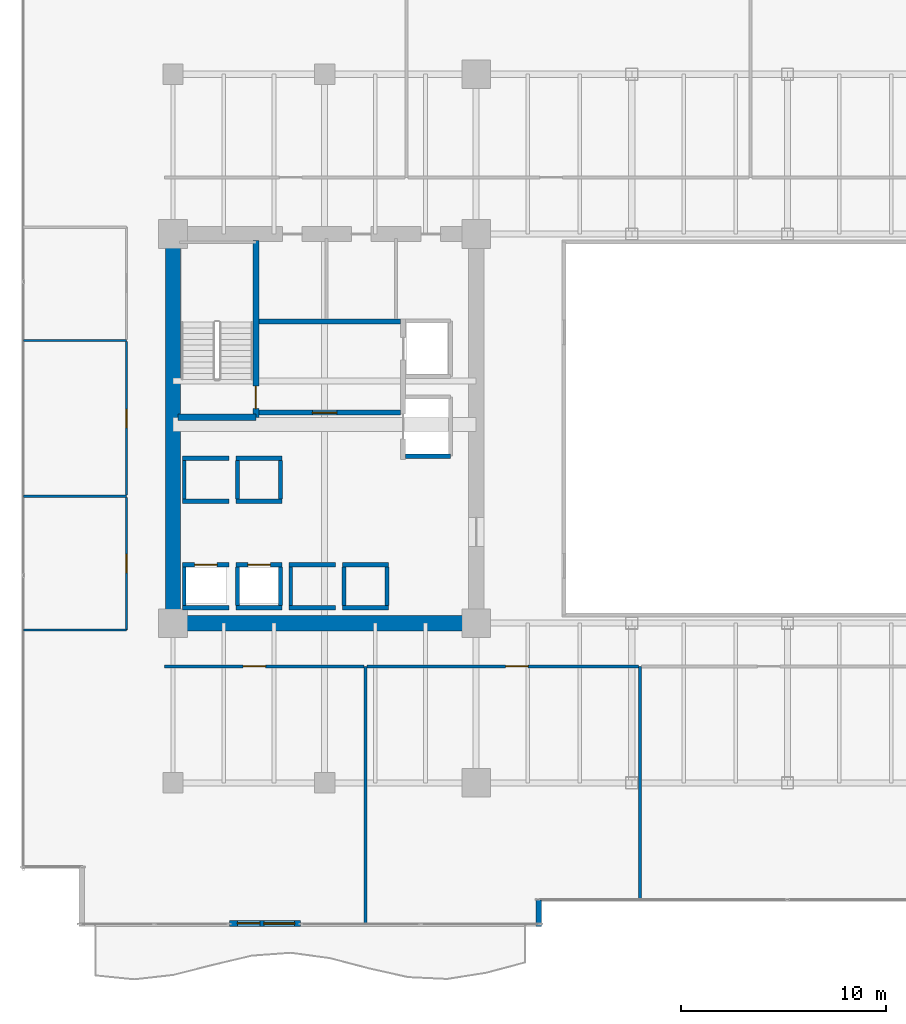
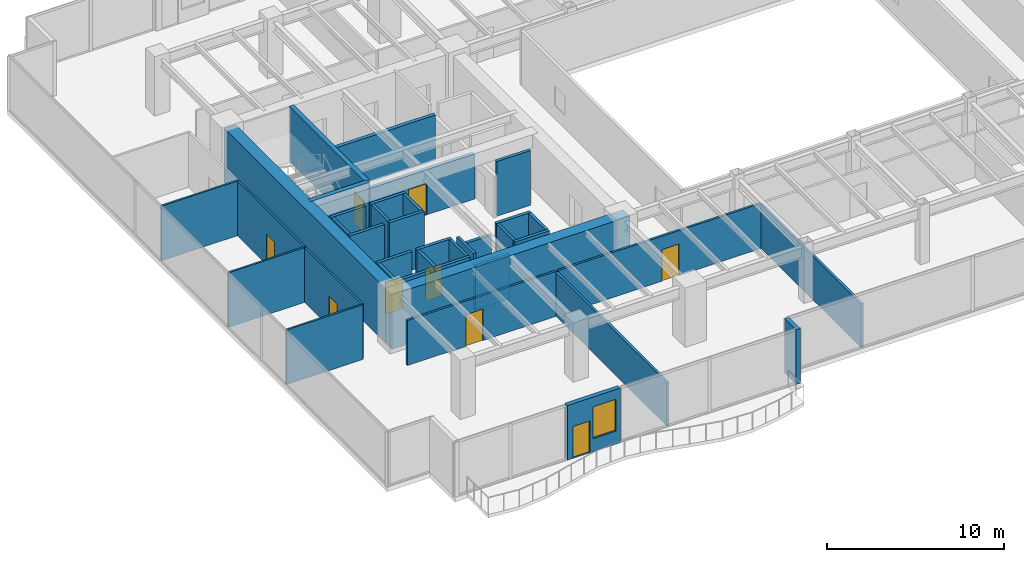
# One storey, part 24 of 31: 39 walls, 9 doors, 1 window, 10 openings.
"""IFC4 building model written with IfcOpenShell, lengths in metres."""

from ifc_helpers import new_model, si_unit, direction, frame, frame_2d, origin, place, context, subcontext, project, spatial, rectangle, extrude, source, transform, mapped, material, layer, layer_set, type_object, type_shapes, element, fill, save


model = new_model("IFC4")

# Units and contexts
model_context = context("Model", 3, precision=1e-05, world=origin(), true_north=direction((0.0, 1.0)))
body_context = subcontext(model_context, "Body", "Model", "MODEL_VIEW")
ifc_project = project(units=[si_unit("LENGTHUNIT", "METRE"), si_unit("AREAUNIT", "SQUARE_METRE"), si_unit("VOLUMEUNIT", "CUBIC_METRE"), si_unit("PLANEANGLEUNIT", "RADIAN"), si_unit("MASSUNIT", "GRAM", prefix="KILO")], contexts=[model_context])

# Site, building, storey
site_placement = place(None, origin())
site = spatial("IfcSite", under=ifc_project, at=site_placement, CompositionType="ELEMENT")
building_placement = place(site_placement, origin())
building = spatial("IfcBuilding", under=site, at=building_placement, Name="Haelvirn Gate Laboratories", CompositionType="ELEMENT")
storey_placement = place(building_placement, frame((0.0, 0.0, 62.10009765625)))
storey = spatial("IfcBuildingStorey", under=building, at=storey_placement, Name="L15", CompositionType="ELEMENT", Elevation=62.10009765625)

# Wall, openings, door, window
ifc_material_1 = material(Name="Thermally-broken bronze aluminium rainscreen & mineral wool", Category="aluminium")
ifc_layer_1 = layer(ifc_material_1, 0.280029296875, Name="EW-TERR-280")
ifc_layer_set_1 = layer_set([ifc_layer_1], Name="Thermally-broken bronze aluminium rainscreen & mineral wool")
wall_type_1 = type_object("IfcWallType", Name="EW-TERR-280", PredefinedType="STANDARD", material=ifc_layer_set_1)
wall_1_placement = place(storey_placement, frame((10.162109375, 0.139892578125, 0.0), z_axis=(0.0, 0.0, 1.0), x_axis=(1.0, 0.0, 0.0)))
wall_1 = element("IfcWall", 1, at=wall_1_placement, inside=storey, type_object=wall_type_1, Name="L15 Terrace Access Wall WB-WL-S", PredefinedType="STANDARD", context=body_context, shape_type="SweptSolid", body=[
    extrude(rectangle(XDim=3.4609375, YDim=0.280029296875, at=frame_2d((1.73046875, 0.0))), origin(), (0.0, 0.0, 1.0), 3.77978515625),
])
opening_1_placement = place(wall_1_placement, frame((0.3779296875, 0.0, 0.0)))
opening_1 = element("IfcOpeningElement", 2, at=opening_1_placement, cuts=wall_1, Name="Opening TD1", PredefinedType="OPENING", context=body_context, shape_type="SweptSolid", body=[
    extrude(rectangle(XDim=1.10009765625, YDim=2.199951171875, at=frame_2d((0.550048828125, 1.10009765625))), frame((0.0, 0.14990234375, 0.0), z_axis=(0.0, -1.0, 0.0), x_axis=(1.0, 0.0, 0.0)), (0.0, 0.0, 1.0), 0.300048828125),
])
opening_2_placement = place(wall_1_placement, frame((1.677978515625, 0.0, 0.89990234375)))
opening_2 = element("IfcOpeningElement", 3, at=opening_2_placement, cuts=wall_1, Name="Opening W3", PredefinedType="OPENING", context=body_context, shape_type="SweptSolid", body=[
    extrude(rectangle(XDim=1.5, YDim=2.199951171875, at=frame_2d((0.75, 1.10009765625))), frame((0.0, 0.14990234375, 0.0), z_axis=(0.0, -1.0, 0.0), x_axis=(1.0, 0.0, 0.0)), (0.0, 0.0, 1.0), 0.300048828125),
])
ifc_material_2 = material(Name="Thermally-broken bronze aluminium glazed terrace door", Category="aluminium")
door_type_1 = type_object("IfcDoorType", Name="DR-TERR-1100", OperationType="NOTDEFINED", PredefinedType="DOOR", material=ifc_material_2)
shared_shape_1 = source(origin(), body_context, "Body", "SweptSolid", [
    extrude(rectangle(XDim=1.10009765625, YDim=2.199951171875, at=frame_2d((0.550048828125, 1.10009765625))), frame((0.0, 0.02490234375, 0.0), z_axis=(0.0, -1.0, 0.0), x_axis=(1.0, 0.0, 0.0)), (0.0, 0.0, 1.0), 0.050048828125),
])
type_shapes(door_type_1, [shared_shape_1])
door_1_placement = place(opening_1_placement, origin())
door_1 = element("IfcDoor", 4, at=door_1_placement, inside=storey, type_object=door_type_1, Name="L15 Terrace Access Door WB-WL-S", OperationType="SINGLE_SWING_LEFT", OverallHeight=2.199951171875, OverallWidth=1.10009765625, PredefinedType="DOOR", context=body_context, shape_type="MappedRepresentation", body=[
    mapped(shared_shape_1, transform((0.0, 0.0, 0.0), scale=1.0)),
])
fill(opening_1, door_1)
ifc_material_3 = material(Name="Bronze anodised aluminium & triple low-E glass", Category="aluminium")
window_type = type_object("IfcWindowType", Name="WIN-TERR-1600", PartitioningType="SINGLE_PANEL", PredefinedType="WINDOW", material=ifc_material_3)
shared_shape_2 = source(origin(), body_context, "Body", "SweptSolid", [
    extrude(rectangle(XDim=1.5, YDim=2.199951171875, at=frame_2d((0.75, 1.10009765625))), frame((0.0, 0.030029296875, 0.0), z_axis=(0.0, -1.0, 0.0), x_axis=(1.0, 0.0, 0.0)), (0.0, 0.0, 1.0), 0.06005859375),
])
type_shapes(window_type, [shared_shape_2])
window_placement = place(opening_2_placement, origin())
window = element("IfcWindow", 5, at=window_placement, inside=storey, type_object=window_type, Name="L15 Terrace Vision Window WB-WL-S", OverallHeight=2.199951171875, OverallWidth=1.5, PartitioningType="SINGLE_PANEL", PredefinedType="WINDOW", context=body_context, shape_type="MappedRepresentation", body=[
    mapped(shared_shape_2, transform((0.0, 0.0, 0.0), scale=1.0)),
])
fill(opening_2, window)

# Walls
wall_2_placement = place(storey_placement, frame((25.260009765625, 0.0, 0.0), z_axis=(0.0, 0.0, 1.0), x_axis=(0.0, 1.0, 0.0)))
element("IfcWall", 6, at=wall_2_placement, inside=storey, type_object=wall_type_1, Name="L15 Atrium Recess Bronze Return Wall 01", PredefinedType="STANDARD", context=body_context, shape_type="SweptSolid", body=[
    extrude(rectangle(XDim=1.2880859375, YDim=0.280029296875, at=frame_2d((0.64404296875, 0.0))), origin(), (0.0, 0.0, 1.0), 3.77978515625),
])
ifc_material_4 = material(Name="Double-layer acoustic gypsum laboratory partition", Category="gypsum")
ifc_layer_2 = layer(ifc_material_4, 0.159912109375, Name="IW-ACOUST-160")
ifc_layer_set_2 = layer_set([ifc_layer_2], Name="Double-layer acoustic gypsum laboratory partition")
wall_type_2 = type_object("IfcWallType", Name="IW-ACOUST-160", PredefinedType="PARTITIONING", material=ifc_layer_set_2)
wall_3_placement = place(storey_placement, frame((16.800048828125, 0.110107421875, 0.0), z_axis=(0.0, 0.0, 1.0), x_axis=(0.0, 1.0, 0.0)))
element("IfcWall", 7, at=wall_3_placement, inside=storey, type_object=wall_type_2, Name="L15 Interior Wall IW-L15-SDIV-01", PredefinedType="PARTITIONING", context=body_context, shape_type="SweptSolid", body=[
    extrude(rectangle(XDim=12.579833984375, YDim=0.159912109375, at=frame_2d((6.2900390625, 0.0))), origin(), (0.0, 0.0, 1.0), 3.014892578125),
])
wall_4_placement = place(storey_placement, frame((30.199951171875, 1.31005859375, 0.0), z_axis=(0.0, 0.0, 1.0), x_axis=(0.0, 1.0, 0.0)))
element("IfcWall", 8, at=wall_4_placement, inside=storey, type_object=wall_type_2, Name="L15 Interior Wall IW-L15-SDIV-02", PredefinedType="PARTITIONING", context=body_context, shape_type="SweptSolid", body=[
    extrude(rectangle(XDim=11.3798828125, YDim=0.159912109375, at=frame_2d((5.68994140625, 0.0))), origin(), (0.0, 0.0, 1.0), 3.014892578125),
])
ifc_material_5 = material(Name="Lightweight acoustic gypsum board partition", Category="gypsum")
ifc_layer_3 = layer(ifc_material_5, 0.1201171875, Name="IW-PART-120")
ifc_layer_set_3 = layer_set([ifc_layer_3], Name="Lightweight acoustic gypsum board partition")
wall_type_3 = type_object("IfcWallType", Name="IW-PART-120", PredefinedType="PARTITIONING", material=ifc_layer_set_3)
wall_5_placement = place(storey_placement, frame((0.110107421875, 14.465087890625, 0.0), z_axis=(0.0, 0.0, 1.0), x_axis=(1.0, 0.0, 0.0)))
element("IfcWall", 9, at=wall_5_placement, inside=storey, type_object=wall_type_3, Name="L15 Interior Wall IW-L15-WCAP-S", PredefinedType="PARTITIONING", context=body_context, shape_type="SweptSolid", body=[
    extrude(rectangle(XDim=5.019775390625, YDim=0.1201171875, at=frame_2d((2.509765625, 0.0))), origin(), (0.0, 0.0, 1.0), 3.77978515625),
])

# Wall, opening, door
wall_6_placement = place(storey_placement, frame((5.1298828125, 14.465087890625, 0.0), z_axis=(0.0, 0.0, 1.0), x_axis=(0.0, 1.0, 0.0)))
wall_6 = element("IfcWall", 10, at=wall_6_placement, inside=storey, type_object=wall_type_3, Name="L15 Interior Wall IW-L15-WPASS-01", PredefinedType="PARTITIONING", context=body_context, shape_type="SweptSolid", body=[
    extrude(rectangle(XDim=6.474853515625, YDim=0.1201171875, at=frame_2d((3.2373046875, 0.0))), origin(), (0.0, 0.0, 1.0), 3.77978515625),
])
opening_3_placement = place(wall_6_placement, frame((2.78759765625, 0.0, 0.0)))
opening_3 = element("IfcOpeningElement", 11, at=opening_3_placement, cuts=wall_6, Name="Opening D4", PredefinedType="OPENING", context=body_context, shape_type="SweptSolid", body=[
    extrude(rectangle(XDim=0.89990234375, YDim=2.10009765625, at=frame_2d((0.449951171875, 1.050048828125))), frame((0.0, 0.070068359375, 0.0), z_axis=(0.0, -1.0, 0.0), x_axis=(1.0, 0.0, 0.0)), (0.0, 0.0, 1.0), 0.14013671875),
])
ifc_material_6 = material(Name="Glazed aluminium-framed write-up door", Category="aluminium")
door_type_2 = type_object("IfcDoorType", Name="DR-OFF-900", OperationType="NOTDEFINED", PredefinedType="DOOR", material=ifc_material_6)
shared_shape_3 = source(origin(), body_context, "Body", "SweptSolid", [
    extrude(rectangle(XDim=0.89990234375, YDim=2.10009765625, at=frame_2d((0.449951171875, 1.050048828125))), frame((0.0, 0.02490234375, 0.0), z_axis=(0.0, -1.0, 0.0), x_axis=(1.0, 0.0, 0.0)), (0.0, 0.0, 1.0), 0.050048828125),
])
type_shapes(door_type_2, [shared_shape_3])
door_2_placement = place(opening_3_placement, origin())
door_2 = element("IfcDoor", 12, at=door_2_placement, inside=storey, type_object=door_type_2, Name="L15 Chemical Synthesis Laboratory Door W1", OperationType="SINGLE_SWING_LEFT", OverallHeight=2.10009765625, OverallWidth=0.89990234375, PredefinedType="DOOR", context=body_context, shape_type="MappedRepresentation", body=[
    mapped(shared_shape_3, transform((0.0, 0.0, 0.0), scale=1.0)),
])
fill(opening_3, door_2)

# Wall
wall_7_placement = place(storey_placement, frame((0.110107421875, 21.0, 0.0), z_axis=(0.0, 0.0, 1.0), x_axis=(1.0, 0.0, 0.0)))
element("IfcWall", 13, at=wall_7_placement, inside=storey, type_object=wall_type_3, Name="L15 Interior Wall IW-L15-WDIV-01", PredefinedType="PARTITIONING", context=body_context, shape_type="SweptSolid", body=[
    extrude(rectangle(XDim=5.019775390625, YDim=0.1201171875, at=frame_2d((2.509765625, 0.0))), origin(), (0.0, 0.0, 1.0), 3.77978515625),
])

# Wall, opening, door
wall_8_placement = place(storey_placement, frame((5.1298828125, 21.06005859375, 0.0), z_axis=(0.0, 0.0, 1.0), x_axis=(0.0, 1.0, 0.0)))
wall_8 = element("IfcWall", 14, at=wall_8_placement, inside=storey, type_object=wall_type_3, Name="L15 Interior Wall IW-L15-WPASS-02", PredefinedType="PARTITIONING", context=body_context, shape_type="SweptSolid", body=[
    extrude(rectangle(XDim=7.47998046875, YDim=0.1201171875, at=frame_2d((3.739990234375, 0.0))), origin(), (0.0, 0.0, 1.0), 3.77978515625),
])
opening_4_placement = place(wall_8_placement, frame((3.2900390625, 0.0, 0.0)))
opening_4 = element("IfcOpeningElement", 15, at=opening_4_placement, cuts=wall_8, Name="Opening D4", PredefinedType="OPENING", context=body_context, shape_type="SweptSolid", body=[
    extrude(rectangle(XDim=0.89990234375, YDim=2.10009765625, at=frame_2d((0.449951171875, 1.050048828125))), frame((0.0, 0.070068359375, 0.0), z_axis=(0.0, -1.0, 0.0), x_axis=(1.0, 0.0, 0.0)), (0.0, 0.0, 1.0), 0.14013671875),
])
door_3_placement = place(opening_4_placement, origin())
door_3 = element("IfcDoor", 16, at=door_3_placement, inside=storey, type_object=door_type_2, Name="L15 Bioprocess Foundry Laboratory Door W2", OperationType="SINGLE_SWING_RIGHT", OverallHeight=2.10009765625, OverallWidth=0.89990234375, PredefinedType="DOOR", context=body_context, shape_type="MappedRepresentation", body=[
    mapped(shared_shape_3, transform((0.0, 0.0, 0.0), scale=1.0)),
])
fill(opening_4, door_3)

# Wall
wall_9_placement = place(storey_placement, frame((0.110107421875, 28.60009765625, 0.0), z_axis=(0.0, 0.0, 1.0), x_axis=(1.0, 0.0, 0.0)))
element("IfcWall", 17, at=wall_9_placement, inside=storey, type_object=wall_type_3, Name="L15 Interior Wall IW-L15-WDIV-02", PredefinedType="PARTITIONING", context=body_context, shape_type="SweptSolid", body=[
    extrude(rectangle(XDim=5.019775390625, YDim=0.1201171875, at=frame_2d((2.509765625, 0.0))), origin(), (0.0, 0.0, 1.0), 3.77978515625),
])

# Wall, opening, door
ifc_material_7 = material(Name="Acoustic mineral-wool gypsum board partition", Category="gypsum")
ifc_layer_4 = layer(ifc_material_7, 0.139892578125, Name="IW-PART-140")
ifc_layer_set_4 = layer_set([ifc_layer_4], Name="Acoustic mineral-wool gypsum board partition")
wall_type_4 = type_object("IfcWallType", Name="IW-PART-140", PredefinedType="PARTITIONING", material=ifc_layer_set_4)
wall_10_placement = place(storey_placement, frame((6.97998046875, 12.68994140625, 0.0), z_axis=(0.0, 0.0, 1.0), x_axis=(1.0, 0.0, 0.0)))
wall_10 = element("IfcWall", 18, at=wall_10_placement, inside=storey, type_object=wall_type_4, Name="L15 Interior Wall IW-L15-SCORR-01", PredefinedType="PARTITIONING", context=body_context, shape_type="SweptSolid", body=[
    extrude(rectangle(XDim=9.739990234375, YDim=0.139892578125, at=frame_2d((4.8701171875, 0.0))), origin(), (0.0, 0.0, 1.0), 3.114990234375),
])
opening_5_placement = place(wall_10_placement, frame((3.843505859375, 0.0, 0.0)))
opening_5 = element("IfcOpeningElement", 19, at=opening_5_placement, cuts=wall_10, Name="Opening D1", PredefinedType="OPENING", context=body_context, shape_type="SweptSolid", body=[
    extrude(rectangle(XDim=1.10009765625, YDim=2.179931640625, at=frame_2d((0.550048828125, 1.08984375))), frame((0.0, 0.080078125, 0.0), z_axis=(0.0, -1.0, 0.0), x_axis=(1.0, 0.0, 0.0)), (0.0, 0.0, 1.0), 0.159912109375),
])
ifc_material_8 = material(Name="Vision-panel acoustic solid-core timber lab door", Category="wood")
door_type_3 = type_object("IfcDoorType", Name="DR-LAB-1100", OperationType="NOTDEFINED", PredefinedType="DOOR", material=ifc_material_8)
shared_shape_4 = source(origin(), body_context, "Body", "SweptSolid", [
    extrude(rectangle(XDim=1.10009765625, YDim=2.179931640625, at=frame_2d((0.550048828125, 1.08984375))), frame((0.0, 0.02490234375, 0.0), z_axis=(0.0, -1.0, 0.0), x_axis=(1.0, 0.0, 0.0)), (0.0, 0.0, 1.0), 0.050048828125),
])
type_shapes(door_type_3, [shared_shape_4])
door_4_placement = place(opening_5_placement, origin())
door_4 = element("IfcDoor", 20, at=door_4_placement, inside=storey, type_object=door_type_3, Name="L15 Bioinformatics Dry-Lab Workspace Door S1", OperationType="SINGLE_SWING_RIGHT", OverallHeight=2.179931640625, OverallWidth=1.10009765625, PredefinedType="DOOR", context=body_context, shape_type="MappedRepresentation", body=[
    mapped(shared_shape_4, transform((0.0, 0.0, 0.0), scale=1.0)),
])
fill(opening_5, door_4)

wall_11_placement = place(storey_placement, frame((16.8798828125, 12.68994140625, 0.0), z_axis=(0.0, 0.0, 1.0), x_axis=(1.0, 0.0, 0.0)))
wall_11 = element("IfcWall", 21, at=wall_11_placement, inside=storey, type_object=wall_type_4, Name="L15 Interior Wall IW-L15-SCORR-02", PredefinedType="PARTITIONING", context=body_context, shape_type="SweptSolid", body=[
    extrude(rectangle(XDim=13.240234375, YDim=0.139892578125, at=frame_2d((6.6201171875, 0.0))), origin(), (0.0, 0.0, 1.0), 3.114990234375),
])
opening_6_placement = place(wall_11_placement, frame((6.75634765625, 0.0, 0.0)))
opening_6 = element("IfcOpeningElement", 22, at=opening_6_placement, cuts=wall_11, Name="Opening D1", PredefinedType="OPENING", context=body_context, shape_type="SweptSolid", body=[
    extrude(rectangle(XDim=1.10009765625, YDim=2.179931640625, at=frame_2d((0.550048828125, 1.08984375))), frame((0.0, 0.080078125, 0.0), z_axis=(0.0, -1.0, 0.0), x_axis=(1.0, 0.0, 0.0)), (0.0, 0.0, 1.0), 0.159912109375),
])
door_5_placement = place(opening_6_placement, origin())
door_5 = element("IfcDoor", 23, at=door_5_placement, inside=storey, type_object=door_type_3, Name="L15 Translational Data Office Door S2", OperationType="SINGLE_SWING_LEFT", OverallHeight=2.179931640625, OverallWidth=1.10009765625, PredefinedType="DOOR", context=body_context, shape_type="MappedRepresentation", body=[
    mapped(shared_shape_4, transform((0.0, 0.0, 0.0), scale=1.0)),
])
fill(opening_6, door_5)

# Walls
ifc_material_9 = material(Name="Concrete C40/50", Category="concrete")
ifc_layer_5 = layer(ifc_material_9, 0.179931640625, Name="IW-SHAFT-180")
ifc_layer_set_5 = layer_set([ifc_layer_5], Name="Concrete C40/50")
wall_type_5 = type_object("IfcWallType", Name="IW-SHAFT-180", PredefinedType="SOLIDWALL", material=ifc_layer_set_5)
for number, where, z_axis, x_axis, name in (
    (24, (7.949951171875, 15.64990234375, 0.0), (0.0, 0.0, 1.0), (0.0, 1.0, 0.0), "L15 Interior Wall IW-L15-PL1-SD"),
    (25, (10.550048828125, 15.64990234375, 0.0), (0.0, 0.0, 1.0), (0.0, 1.0, 0.0), "L15 Interior Wall IW-L15-PL2-SD"),
    (26, (12.64990234375, 15.64990234375, 0.0), (0.0, 0.0, 1.0), (0.0, 1.0, 0.0), "L15 Interior Wall IW-L15-PL2-SDE"),
    (27, (13.14990234375, 15.64990234375, 0.0), (0.0, 0.0, 1.0), (0.0, 1.0, 0.0), "L15 Interior Wall IW-L15-PL5-SD"),
    (28, (15.75, 15.64990234375, 0.0), (0.0, 0.0, 1.0), (0.0, 1.0, 0.0), "L15 Interior Wall IW-L15-PL6-SD"),
    (29, (17.85009765625, 15.64990234375, 0.0), (0.0, 0.0, 1.0), (0.0, 1.0, 0.0), "L15 Interior Wall IW-L15-PL6-SDE"),
):
    element("IfcWall", number, at=place(storey_placement, frame(where, z_axis=z_axis, x_axis=x_axis)), inside=storey, type_object=wall_type_5, Name=name, PredefinedType="SOLIDWALL", context=body_context, shape_type="SweptSolid", body=[
        extrude(rectangle(XDim=1.900146484375, YDim=0.179931640625, at=frame_2d((0.9501953125, 0.0))), origin(), (0.0, 0.0, 1.0), 3.77978515625),
    ])
for number, where, z_axis, x_axis, name in (
    (30, (7.949951171875, 20.85009765625, 0.0), (0.0, 0.0, 1.0), (0.0, 1.0, 0.0), "L15 Interior Wall IW-L15-PL9-SD"),
    (31, (10.550048828125, 20.85009765625, 0.0), (0.0, 0.0, 1.0), (0.0, 1.0, 0.0), "L15 Interior Wall IW-L15-PL10-SD"),
    (32, (12.64990234375, 20.85009765625, 0.0), (0.0, 0.0, 1.0), (0.0, 1.0, 0.0), "L15 Interior Wall IW-L15-PL10-SDE"),
):
    element("IfcWall", number, at=place(storey_placement, frame(where, z_axis=z_axis, x_axis=x_axis)), inside=storey, type_object=wall_type_5, Name=name, PredefinedType="SOLIDWALL", context=body_context, shape_type="SweptSolid", body=[
        extrude(rectangle(XDim=1.89990234375, YDim=0.179931640625, at=frame_2d((0.949951171875, 0.0))), origin(), (0.0, 0.0, 1.0), 3.77978515625),
    ])

# Wall, opening, door
ifc_layer_6 = layer(ifc_material_9, 0.199951171875, Name="IW-SHAFT-200")
ifc_layer_set_6 = layer_set([ifc_layer_6], Name="Concrete C40/50")
wall_type_6 = type_object("IfcWallType", Name="IW-SHAFT-200", PredefinedType="SOLIDWALL", material=ifc_layer_set_6)
wall_12_placement = place(storey_placement, frame((7.8701171875, 17.64990234375, 0.0), z_axis=(0.0, 0.0, 1.0), x_axis=(1.0, 0.0, 0.0)))
wall_12 = element("IfcWall", 33, at=wall_12_placement, inside=storey, type_object=wall_type_6, Name="L15 Interior Wall IW-L15-PL1-FR", PredefinedType="SOLIDWALL", context=body_context, shape_type="SweptSolid", body=[
    extrude(rectangle(XDim=2.259765625, YDim=0.199951171875, at=frame_2d((1.1298828125, 0.0))), origin(), (0.0, 0.0, 1.0), 3.77978515625),
])
opening_7_placement = place(wall_12_placement, frame((0.580078125, 0.0, 0.0)))
opening_7 = element("IfcOpeningElement", 34, at=opening_7_placement, cuts=wall_12, Name="Opening LD2", PredefinedType="OPENING", context=body_context, shape_type="SweptSolid", body=[
    extrude(rectangle(XDim=1.10009765625, YDim=2.219970703125, at=frame_2d((0.550048828125, 1.10986328125))), frame((0.0, 0.10986328125, 0.0), z_axis=(0.0, -1.0, 0.0), x_axis=(1.0, 0.0, 0.0)), (0.0, 0.0, 1.0), 0.219970703125),
])
ifc_material_10 = material(Name="Bronze stainless 316L sliding lift landing door")
door_type_4 = type_object("IfcDoorType", Name="DR-LD-1100", OperationType="NOTDEFINED", PredefinedType="USERDEFINED", material=ifc_material_10)
shared_shape_5 = source(origin(), body_context, "Body", "SweptSolid", [
    extrude(rectangle(XDim=1.10009765625, YDim=2.219970703125, at=frame_2d((0.550048828125, 1.10986328125))), frame((0.0, 0.02490234375, 0.0), z_axis=(0.0, -1.0, 0.0), x_axis=(1.0, 0.0, 0.0)), (0.0, 0.0, 1.0), 0.050048828125),
])
type_shapes(door_type_4, [shared_shape_5])
door_6_placement = place(opening_7_placement, origin())
door_6 = element("IfcDoor", 35, at=door_6_placement, inside=storey, type_object=door_type_4, Name="L15 Passenger Lift PL1 Landing Door", ObjectType="LANDING_DOOR", OperationType="SLIDING_TO_LEFT", OverallHeight=2.219970703125, OverallWidth=1.10009765625, PredefinedType="USERDEFINED", context=body_context, shape_type="MappedRepresentation", body=[
    mapped(shared_shape_5, transform((0.0, 0.0, 0.0), scale=1.0)),
])
fill(opening_7, door_6)

# Wall
wall_13_placement = place(storey_placement, frame((7.8701171875, 15.550048828125, 0.0), z_axis=(0.0, 0.0, 1.0), x_axis=(1.0, 0.0, 0.0)))
element("IfcWall", 36, at=wall_13_placement, inside=storey, type_object=wall_type_6, Name="L15 Interior Wall IW-L15-PL1-BK", PredefinedType="SOLIDWALL", context=body_context, shape_type="SweptSolid", body=[
    extrude(rectangle(XDim=2.259765625, YDim=0.199951171875, at=frame_2d((1.1298828125, 0.0))), origin(), (0.0, 0.0, 1.0), 3.77978515625),
])

# Wall, opening, door
wall_14_placement = place(storey_placement, frame((10.469970703125, 17.64990234375, 0.0), z_axis=(0.0, 0.0, 1.0), x_axis=(1.0, 0.0, 0.0)))
wall_14 = element("IfcWall", 37, at=wall_14_placement, inside=storey, type_object=wall_type_6, Name="L15 Interior Wall IW-L15-PL2-FR", PredefinedType="SOLIDWALL", context=body_context, shape_type="SweptSolid", body=[
    extrude(rectangle(XDim=2.260009765625, YDim=0.199951171875, at=frame_2d((1.1298828125, 0.0))), origin(), (0.0, 0.0, 1.0), 3.77978515625),
])
opening_8_placement = place(wall_14_placement, frame((0.580078125, 0.0, 0.0)))
opening_8 = element("IfcOpeningElement", 38, at=opening_8_placement, cuts=wall_14, Name="Opening LD2", PredefinedType="OPENING", context=body_context, shape_type="SweptSolid", body=[
    extrude(rectangle(XDim=1.10009765625, YDim=2.219970703125, at=frame_2d((0.550048828125, 1.10986328125))), frame((0.0, 0.10986328125, 0.0), z_axis=(0.0, -1.0, 0.0), x_axis=(1.0, 0.0, 0.0)), (0.0, 0.0, 1.0), 0.219970703125),
])
door_7_placement = place(opening_8_placement, origin())
door_7 = element("IfcDoor", 39, at=door_7_placement, inside=storey, type_object=door_type_4, Name="L15 Passenger Lift PL2 Landing Door", ObjectType="LANDING_DOOR", OperationType="SLIDING_TO_RIGHT", OverallHeight=2.219970703125, OverallWidth=1.10009765625, PredefinedType="USERDEFINED", context=body_context, shape_type="MappedRepresentation", body=[
    mapped(shared_shape_5, transform((0.0, 0.0, 0.0), scale=1.0)),
])
fill(opening_8, door_7)

# Walls
wall_15_placement = place(storey_placement, frame((10.469970703125, 15.550048828125, 0.0), z_axis=(0.0, 0.0, 1.0), x_axis=(1.0, 0.0, 0.0)))
element("IfcWall", 40, at=wall_15_placement, inside=storey, type_object=wall_type_6, Name="L15 Interior Wall IW-L15-PL2-BK", PredefinedType="SOLIDWALL", context=body_context, shape_type="SweptSolid", body=[
    extrude(rectangle(XDim=2.260009765625, YDim=0.199951171875, at=frame_2d((1.1298828125, 0.0))), origin(), (0.0, 0.0, 1.0), 3.77978515625),
])
for number, where, z_axis, x_axis, name in (
    (41, (13.070068359375, 17.64990234375, 0.0), (0.0, 0.0, 1.0), (1.0, 0.0, 0.0), "L15 Interior Wall IW-L15-PL5-FR"),
    (42, (13.070068359375, 15.550048828125, 0.0), (0.0, 0.0, 1.0), (1.0, 0.0, 0.0), "L15 Interior Wall IW-L15-PL5-BK"),
):
    element("IfcWall", number, at=place(storey_placement, frame(where, z_axis=z_axis, x_axis=x_axis)), inside=storey, type_object=wall_type_6, Name=name, PredefinedType="SOLIDWALL", context=body_context, shape_type="SweptSolid", body=[
        extrude(rectangle(XDim=2.260009765625, YDim=0.199951171875, at=frame_2d((1.1298828125, 0.0))), origin(), (0.0, 0.0, 1.0), 3.114990234375),
    ])
for number, where, z_axis, x_axis, name in (
    (43, (15.669921875, 17.64990234375, 0.0), (0.0, 0.0, 1.0), (1.0, 0.0, 0.0), "L15 Interior Wall IW-L15-PL6-FR"),
    (44, (15.669921875, 15.550048828125, 0.0), (0.0, 0.0, 1.0), (1.0, 0.0, 0.0), "L15 Interior Wall IW-L15-PL6-BK"),
):
    element("IfcWall", number, at=place(storey_placement, frame(where, z_axis=z_axis, x_axis=x_axis)), inside=storey, type_object=wall_type_6, Name=name, PredefinedType="SOLIDWALL", context=body_context, shape_type="SweptSolid", body=[
        extrude(rectangle(XDim=2.260009765625, YDim=0.199951171875, at=frame_2d((1.1298828125, 0.0))), origin(), (0.0, 0.0, 1.0), 3.77978515625),
    ])
for number, where, z_axis, x_axis, name in (
    (45, (7.8701171875, 20.75, 0.0), (0.0, 0.0, 1.0), (1.0, 0.0, 0.0), "L15 Interior Wall IW-L15-PL9-FR"),
    (46, (7.8701171875, 22.85009765625, 0.0), (0.0, 0.0, 1.0), (1.0, 0.0, 0.0), "L15 Interior Wall IW-L15-PL9-BK"),
):
    element("IfcWall", number, at=place(storey_placement, frame(where, z_axis=z_axis, x_axis=x_axis)), inside=storey, type_object=wall_type_6, Name=name, PredefinedType="SOLIDWALL", context=body_context, shape_type="SweptSolid", body=[
        extrude(rectangle(XDim=2.259765625, YDim=0.199951171875, at=frame_2d((1.1298828125, 0.0))), origin(), (0.0, 0.0, 1.0), 3.77978515625),
    ])
for number, where, z_axis, x_axis, name in (
    (47, (10.469970703125, 20.75, 0.0), (0.0, 0.0, 1.0), (1.0, 0.0, 0.0), "L15 Interior Wall IW-L15-PL10-FR"),
    (48, (10.469970703125, 22.85009765625, 0.0), (0.0, 0.0, 1.0), (1.0, 0.0, 0.0), "L15 Interior Wall IW-L15-PL10-BK"),
):
    element("IfcWall", number, at=place(storey_placement, frame(where, z_axis=z_axis, x_axis=x_axis)), inside=storey, type_object=wall_type_6, Name=name, PredefinedType="SOLIDWALL", context=body_context, shape_type="SweptSolid", body=[
        extrude(rectangle(XDim=2.260009765625, YDim=0.199951171875, at=frame_2d((1.1298828125, 0.0))), origin(), (0.0, 0.0, 1.0), 3.77978515625),
    ])
wall_16_placement = place(storey_placement, frame((18.760009765625, 22.949951171875, 0.0), z_axis=(0.0, 0.0, 1.0), x_axis=(1.0, 0.0, 0.0)))
element("IfcWall", 49, at=wall_16_placement, inside=storey, type_object=wall_type_6, Name="L15 Interior Wall IW-L15-SL1-S", PredefinedType="SOLIDWALL", context=body_context, shape_type="SweptSolid", body=[
    extrude(rectangle(XDim=2.18994140625, YDim=0.199951171875, at=frame_2d((1.094970703125, 0.0))), origin(), (0.0, 0.0, 1.0), 3.77978515625),
])

# Wall, opening, door
ifc_layer_7 = layer(ifc_material_9, 0.239990234375, Name="IW-SHAFT-240")
ifc_layer_set_7 = layer_set([ifc_layer_7], Name="Concrete C40/50")
wall_type_7 = type_object("IfcWallType", Name="IW-SHAFT-240", PredefinedType="SOLIDWALL", material=ifc_layer_set_7)
wall_17_placement = place(storey_placement, frame((11.60009765625, 25.080078125, 0.0), z_axis=(0.0, 0.0, 1.0), x_axis=(1.0, 0.0, 0.0)))
wall_17 = element("IfcWall", 50, at=wall_17_placement, inside=storey, type_object=wall_type_7, Name="L15 Interior Wall IW-L15-W-FF-S", PredefinedType="SOLIDWALL", context=body_context, shape_type="SweptSolid", body=[
    extrude(rectangle(XDim=6.919921875, YDim=0.239990234375, at=frame_2d((3.4599609375, 0.0))), origin(), (0.0, 0.0, 1.0), 3.114990234375),
])
opening_9_placement = place(wall_17_placement, frame((2.60009765625, 0.0, 0.0)))
opening_9 = element("IfcOpeningElement", 51, at=opening_9_placement, cuts=wall_17, Name="Opening FD2", PredefinedType="OPENING", context=body_context, shape_type="SweptSolid", body=[
    extrude(rectangle(XDim=1.199951171875, YDim=2.159912109375, at=frame_2d((0.60009765625, 1.080078125))), frame((0.0, 0.1298828125, 0.0), z_axis=(0.0, -1.0, 0.0), x_axis=(1.0, 0.0, 0.0)), (0.0, 0.0, 1.0), 0.260009765625),
])
ifc_material_11 = material(Name="Fire-rated steel SM355 compartment door", Category="steel")
door_type_5 = type_object("IfcDoorType", Name="DR-FD-1200", OperationType="NOTDEFINED", PredefinedType="DOOR", material=ifc_material_11)
shared_shape_6 = source(origin(), body_context, "Body", "SweptSolid", [
    extrude(rectangle(XDim=1.199951171875, YDim=2.159912109375, at=frame_2d((0.60009765625, 1.080078125))), frame((0.0, 0.02490234375, 0.0), z_axis=(0.0, -1.0, 0.0), x_axis=(1.0, 0.0, 0.0)), (0.0, 0.0, 1.0), 0.050048828125),
])
type_shapes(door_type_5, [shared_shape_6])
door_8_placement = place(opening_9_placement, origin())
door_8 = element("IfcDoor", 52, at=door_8_placement, inside=storey, type_object=door_type_5, Name="L15 West Firefighting Lobby Door", OperationType="SINGLE_SWING_RIGHT", OverallHeight=2.159912109375, OverallWidth=1.199951171875, PredefinedType="DOOR", context=body_context, shape_type="MappedRepresentation", body=[
    mapped(shared_shape_6, transform((0.0, 0.0, 0.0), scale=1.0)),
])
fill(opening_9, door_8)

# Walls
wall_18_placement = place(storey_placement, frame((11.60009765625, 29.52001953125, 0.0), z_axis=(0.0, 0.0, 1.0), x_axis=(1.0, 0.0, 0.0)))
element("IfcWall", 53, at=wall_18_placement, inside=storey, type_object=wall_type_7, Name="L15 Interior Wall IW-L15-W-FF-N", PredefinedType="SOLIDWALL", context=body_context, shape_type="SweptSolid", body=[
    extrude(rectangle(XDim=6.919921875, YDim=0.239990234375, at=frame_2d((3.4599609375, 0.0))), origin(), (0.0, 0.0, 1.0), 3.114990234375),
])
ifc_material_12 = material(Name="Concrete C70/85", Category="concrete")
ifc_layer_8 = layer(ifc_material_12, 0.75, Name="SW-CORE-750")
ifc_layer_set_8 = layer_set([ifc_layer_8], Name="Concrete C70/85")
wall_type_8 = type_object("IfcWallType", Name="SW-CORE-750", PredefinedType="SHEAR", material=ifc_layer_set_8)
wall_19_placement = place(storey_placement, frame((7.02490234375, 14.800048828125, 0.0), z_axis=(0.0, 0.0, 1.0), x_axis=(1.0, 0.0, 0.0)))
element("IfcWall", 54, at=wall_19_placement, inside=storey, type_object=wall_type_8, Name="L15 W Core Shear Wall S", PredefinedType="SHEAR", context=body_context, shape_type="SweptSolid", body=[
    extrude(rectangle(XDim=15.550048828125, YDim=0.75, at=frame_2d((7.77490234375, 0.0))), origin(), (0.0, 0.0, 1.0), 3.77978515625),
])
wall_20_placement = place(storey_placement, frame((7.39990234375, 15.175048828125, 0.0), z_axis=(0.0, 0.0, 1.0), x_axis=(0.0, 1.0, 0.0)))
element("IfcWall", 55, at=wall_20_placement, inside=storey, type_object=wall_type_8, Name="L15 W Core Shear Wall W", PredefinedType="SHEAR", context=body_context, shape_type="SweptSolid", body=[
    extrude(rectangle(XDim=18.25, YDim=0.75, at=frame_2d((9.125, 0.0))), origin(), (0.0, 0.0, 1.0), 3.77978515625),
])

# Wall, opening, door
ifc_material_13 = material(Name="Concrete C50/60", Category="concrete")
ifc_layer_9 = layer(ifc_material_13, 0.300048828125, Name="SW-STAIR-300")
ifc_layer_set_9 = layer_set([ifc_layer_9], Name="Concrete C50/60")
wall_type_9 = type_object("IfcWallType", Name="SW-STAIR-300", PredefinedType="SHEAR", material=ifc_layer_set_9)
wall_21_placement = place(storey_placement, frame((11.449951171875, 24.85009765625, 0.0), z_axis=(0.0, 0.0, 1.0), x_axis=(0.0, 1.0, 0.0)))
wall_21 = element("IfcWall", 56, at=wall_21_placement, inside=storey, type_object=wall_type_9, Name="L15 W Core Stair Shaft Structural Wall IN", PredefinedType="SHEAR", context=body_context, shape_type="SweptSolid", body=[
    extrude(rectangle(XDim=8.6298828125, YDim=0.300048828125, at=frame_2d((4.31494140625, 0.0))), origin(), (0.0, 0.0, 1.0), 3.77978515625),
])
opening_10_placement = place(wall_21_placement, frame((0.419921875, 0.0, 0.0)))
opening_10 = element("IfcOpeningElement", 57, at=opening_10_placement, cuts=wall_21, Name="Opening FD3", PredefinedType="OPENING", context=body_context, shape_type="SweptSolid", body=[
    extrude(rectangle(XDim=1.10009765625, YDim=2.14990234375, at=frame_2d((0.550048828125, 1.074951171875))), frame((0.0, 0.16015625, 0.0), z_axis=(0.0, -1.0, 0.0), x_axis=(1.0, 0.0, 0.0)), (0.0, 0.0, 1.0), 0.320068359375),
])
ifc_material_14 = material(Name="Fire-rated steel SM355 escape stair door", Category="steel")
door_type_6 = type_object("IfcDoorType", Name="DR-FD-1100", OperationType="NOTDEFINED", PredefinedType="DOOR", material=ifc_material_14)
shared_shape_7 = source(origin(), body_context, "Body", "SweptSolid", [
    extrude(rectangle(XDim=1.10009765625, YDim=2.14990234375, at=frame_2d((0.550048828125, 1.074951171875))), frame((0.0, 0.02490234375, 0.0), z_axis=(0.0, -1.0, 0.0), x_axis=(1.0, 0.0, 0.0)), (0.0, 0.0, 1.0), 0.050048828125),
])
type_shapes(door_type_6, [shared_shape_7])
door_9_placement = place(opening_10_placement, origin())
door_9 = element("IfcDoor", 58, at=door_9_placement, inside=storey, type_object=door_type_6, Name="L15 Escape Stair ST1 Fire Door", OperationType="SINGLE_SWING_LEFT", OverallHeight=2.14990234375, OverallWidth=1.10009765625, PredefinedType="DOOR", context=body_context, shape_type="MappedRepresentation", body=[
    mapped(shared_shape_7, transform((0.0, 0.0, 0.0), scale=1.0)),
])
fill(opening_10, door_9)

# Wall
wall_22_placement = place(storey_placement, frame((7.64990234375, 24.85009765625, 0.0), z_axis=(0.0, 0.0, 1.0), x_axis=(1.0, 0.0, 0.0)))
element("IfcWall", 59, at=wall_22_placement, inside=storey, type_object=wall_type_9, Name="L15 W Core Stair Shaft Structural Wall S", PredefinedType="SHEAR", context=body_context, shape_type="SweptSolid", body=[
    extrude(rectangle(XDim=3.800048828125, YDim=0.300048828125, at=frame_2d((1.89990234375, 0.0))), origin(), (0.0, 0.0, 1.0), 3.77978515625),
])

save(model, "model.ifc")
